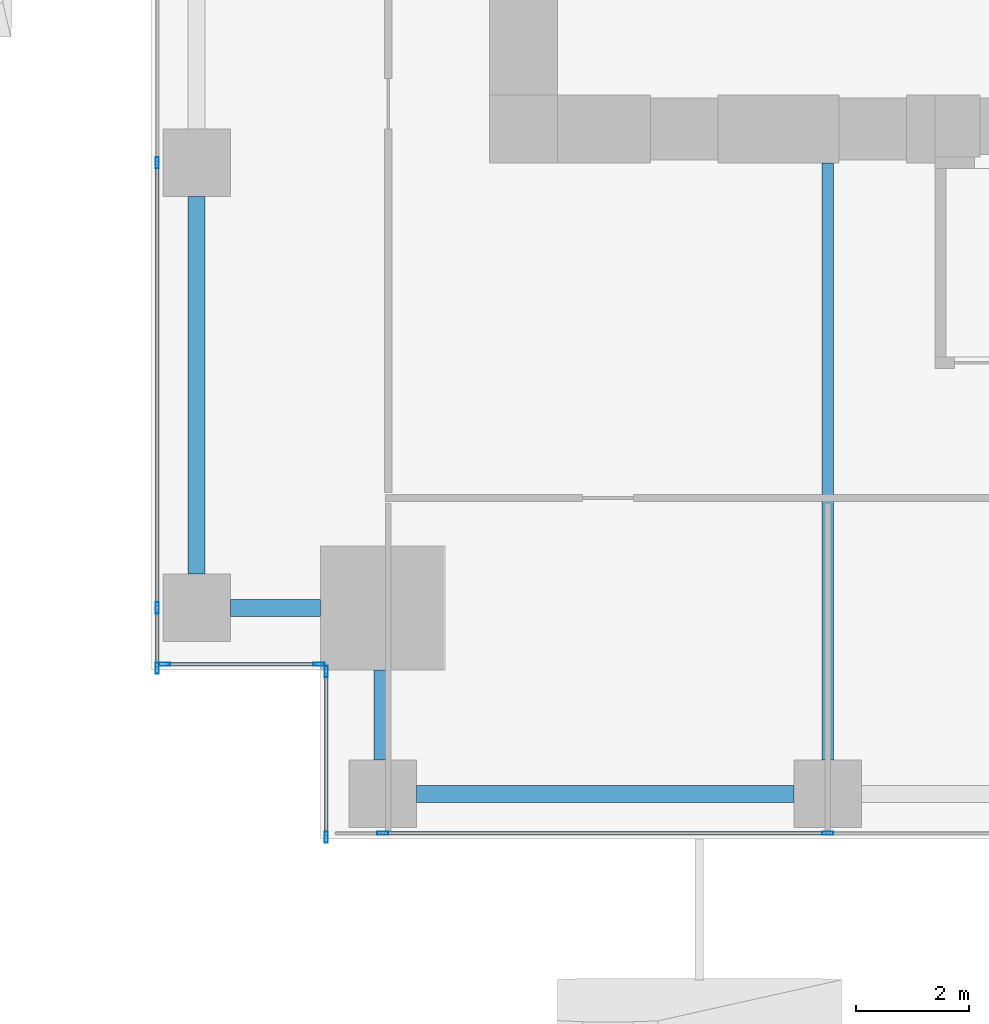
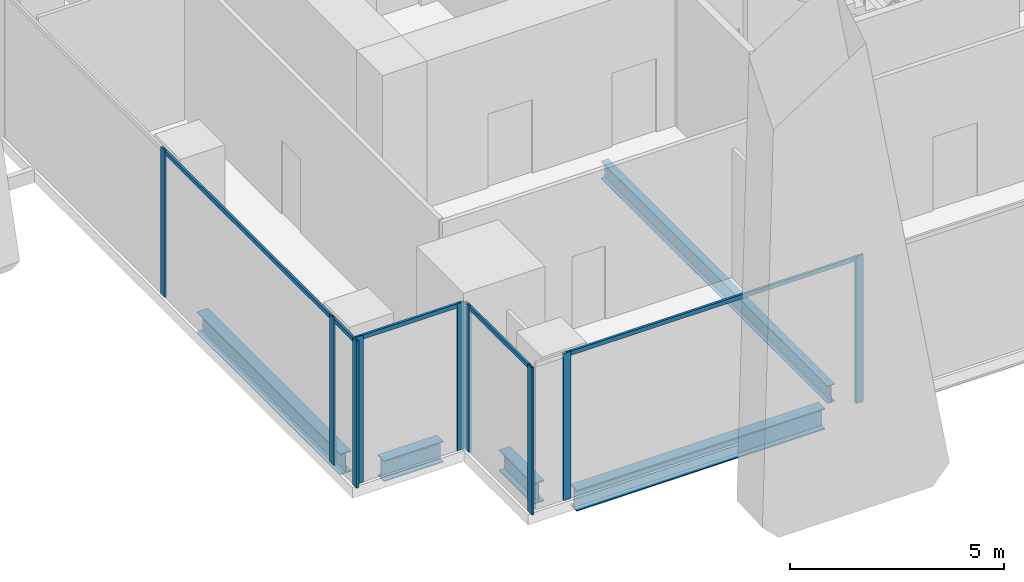
# One storey, part 2 of 35: 14 members, 5 beams, 4 elements without a shape of their own.
"""IFC4 building model written with IfcOpenShell, lengths in metres."""

from ifc_helpers import new_model, si_unit, direction, frame, origin, origin_2d, place, context, subcontext, project, spatial, hollow_rectangle, i_section, extrude, source, transform, mapped, material, material_profile, profile_set, type_object, element, aggregate, save


model = new_model("IFC4")

# Units and contexts
model_context = context("Model", 3, precision=1e-05, world=origin(), true_north=direction((0.0, 1.0)))
body_context = subcontext(model_context, "Body", "Model", "MODEL_VIEW")
ifc_project = project(units=[si_unit("LENGTHUNIT", "METRE"), si_unit("AREAUNIT", "SQUARE_METRE"), si_unit("VOLUMEUNIT", "CUBIC_METRE"), si_unit("PLANEANGLEUNIT", "RADIAN"), si_unit("MASSUNIT", "GRAM", prefix="KILO")], contexts=[model_context])

# Site, building, storey
site_placement = place(None, origin())
site = spatial("IfcSite", under=ifc_project, at=site_placement, CompositionType="ELEMENT")
building_placement = place(site_placement, origin())
building = spatial("IfcBuilding", under=site, at=building_placement, Name="Khomas Fold Tower", CompositionType="ELEMENT")
storey_placement = place(building_placement, frame((0.0, 0.0, 69.0)))
storey = spatial("IfcBuildingStorey", under=building, at=storey_placement, Name="L14", CompositionType="ELEMENT", Elevation=69.0)

# Beams
ifc_material_1 = material(Name="Steel S355", Category="steel")
ifc_material_profile_1 = material_profile(ifc_material_1, i_section(OverallWidth=0.199951171875, OverallDepth=0.5, WebThickness=0.01025390625, FlangeThickness=0.01611328125, at=origin_2d()), Name="IPE 500")
ifc_profile_set_1 = profile_set([ifc_material_profile_1], Name="Steel S355")
beam_type_1 = type_object("IfcBeamType", Name="IPE 500 beam JB5", PredefinedType="BEAM", material=ifc_profile_set_1)
shared_shape_1 = source(origin(), body_context, "Body", "SweptSolid", [
    extrude(i_section(OverallWidth=0.199951171875, OverallDepth=0.5, WebThickness=0.01025390625, FlangeThickness=0.01611328125, at=origin_2d()), origin(), (0.0, 0.0, 1.0), 10.60009765625),
])
beam_placement = place(storey_placement, frame((12.0, 1.39990234375, -0.550048828125), z_axis=(0.0, 1.0, 0.0), x_axis=(-1.0, 0.0, 0.0)))
element("IfcBeam", 1, at=beam_placement, inside=storey, type_object=beam_type_1, Name="JB5", PredefinedType="BEAM", context=body_context, shape_type="MappedRepresentation", body=[
    mapped(shared_shape_1, transform((0.0, 0.0, 0.0))),
])
ifc_material_2 = material(Name="Steel S355", Category="steel")
ifc_material_profile_2 = material_profile(ifc_material_2, i_section(OverallWidth=0.300048828125, OverallDepth=0.60009765625, WebThickness=0.015380859375, FlangeThickness=0.030029296875, at=origin_2d()), Name="HE 600 B")
ifc_profile_set_2 = profile_set([ifc_material_profile_2], Name="Steel S355")
beam_type_2 = type_object("IfcBeamType", Name="HE 600 B spandrel SB1", PredefinedType="SPANDREL", material=ifc_profile_set_2)
shared_shape_2 = source(origin(), body_context, "Body", "SweptSolid", [
    extrude(i_section(OverallWidth=0.300048828125, OverallDepth=0.60009765625, WebThickness=0.015380859375, FlangeThickness=0.030029296875, at=origin_2d()), origin(), (0.0, 0.0, 1.0), 6.699951171875),
])
for number, where, z_axis, x_axis, name in (
    (2, (4.699951171875, 0.800048828125, -0.60009765625), (1.0, 0.0, 0.0), (0.0, 1.0, 0.0), "SB1"),
    (3, (0.800048828125, 4.699951171875, -0.60009765625), (0.0, 1.0, 0.0), (-1.0, 0.0, 0.0), "SB1"),
):
    element("IfcBeam", number, at=place(storey_placement, frame(where, z_axis=z_axis, x_axis=x_axis)), inside=storey, type_object=beam_type_2, Name=name, PredefinedType="SPANDREL", context=body_context, shape_type="MappedRepresentation", body=[
        mapped(shared_shape_2, transform((0.0, 0.0, 0.0))),
    ])
shared_shape_3 = source(origin(), body_context, "Body", "SweptSolid", [
    extrude(i_section(OverallWidth=0.300048828125, OverallDepth=0.60009765625, WebThickness=0.015380859375, FlangeThickness=0.030029296875, at=origin_2d()), origin(), (0.0, 0.0, 1.0), 1.60009765625),
])
for number, where, z_axis, x_axis, name in (
    (4, (1.39990234375, 4.10009765625, -0.60009765625), (1.0, 0.0, 0.0), (0.0, 1.0, 0.0), "SB1"),
    (5, (4.10009765625, 1.39990234375, -0.60009765625), (0.0, 1.0, 0.0), (-1.0, 0.0, 0.0), "SB1"),
):
    element("IfcBeam", number, at=place(storey_placement, frame(where, z_axis=z_axis, x_axis=x_axis)), inside=storey, type_object=beam_type_2, Name=name, PredefinedType="SPANDREL", context=body_context, shape_type="MappedRepresentation", body=[
        mapped(shared_shape_3, transform((0.0, 0.0, 0.0))),
    ])

# Curtain wall, member
ifc_material_3 = material(Name="Aluminium framed double glazing", Category="aluminium")
curtain_wall_type = type_object("IfcCurtainWallType", Name="SK-Unitised clear-glass wall, growing floors CW1", PredefinedType="NOTDEFINED", material=ifc_material_3)
curtain_wall_1_placement = place(storey_placement, origin())
curtain_wall_1 = element("IfcCurtainWall", 6, at=curtain_wall_1_placement, inside=storey, type_object=curtain_wall_type, Name="CW1 run L14 00-0", PredefinedType="NOTDEFINED")
ifc_material_4 = material(Name="Aluminium", Category="aluminium")
ifc_material_profile_3 = material_profile(ifc_material_4, hollow_rectangle(XDim=0.06005859375, YDim=0.1201171875, WallThickness=0.00390625, at=origin_2d()), Name="SK-Unitised clear-glass wall, growing floors transom CW1-T")
ifc_profile_set_3 = profile_set([ifc_material_profile_3], Name="Aluminium")
member_type_1 = type_object("IfcMemberType", Name="SK-Unitised clear-glass wall, growing floors transom CW1-T", PredefinedType="USERDEFINED", material=ifc_profile_set_3)
shared_shape_4 = source(origin(), body_context, "Body", "SweptSolid", [
    extrude(hollow_rectangle(XDim=0.06005859375, YDim=0.1201171875, WallThickness=0.00390625, at=origin_2d()), origin(), (0.0, 0.0, 1.0), 7.840087890625),
])
member_1_placement = place(storey_placement, frame((4.1298828125, 0.10009765625, 4.139892578125), z_axis=(1.0, 0.0, 0.0), x_axis=(0.0, 1.0, 0.0)))
member_1 = element("IfcMember", 7, at=member_1_placement, type_object=member_type_1, Name="CW1 transom 2", ObjectType="TRANSOM", PredefinedType="USERDEFINED", context=body_context, shape_type="MappedRepresentation", body=[
    mapped(shared_shape_4, transform((0.0, 0.0, 0.0))),
])

# Curtain wall, members
curtain_wall_2_placement = place(storey_placement, origin())
curtain_wall_2 = element("IfcCurtainWall", 8, at=curtain_wall_2_placement, inside=storey, type_object=curtain_wall_type, Name="CW1 run L14 09-1", PredefinedType="NOTDEFINED")
member_2_placement = place(storey_placement, frame((0.10009765625, 11.969970703125, 4.139892578125), z_axis=(0.0, -1.0, 0.0), x_axis=(1.0, 0.0, 0.0)))
member_2 = element("IfcMember", 9, at=member_2_placement, type_object=member_type_1, Name="CW1 transom 4", ObjectType="TRANSOM", PredefinedType="USERDEFINED", context=body_context, shape_type="MappedRepresentation", body=[
    mapped(shared_shape_4, transform((0.0, 0.0, 0.0))),
])
shared_shape_5 = source(origin(), body_context, "Body", "SweptSolid", [
    extrude(hollow_rectangle(XDim=0.06005859375, YDim=0.1201171875, WallThickness=0.00390625, at=origin_2d()), origin(), (0.0, 0.0, 1.0), 1.010009765625),
])
member_3_placement = place(storey_placement, frame((0.10009765625, 4.070068359375, 4.139892578125), z_axis=(0.0, -1.0, 0.0), x_axis=(1.0, 0.0, 0.0)))
member_3 = element("IfcMember", 10, at=member_3_placement, type_object=member_type_1, Name="CW1 transom 5", ObjectType="TRANSOM", PredefinedType="USERDEFINED", context=body_context, shape_type="MappedRepresentation", body=[
    mapped(shared_shape_5, transform((0.0, 0.0, 0.0))),
])

# Curtain wall, member
curtain_wall_3_placement = place(storey_placement, origin())
curtain_wall_3 = element("IfcCurtainWall", 11, at=curtain_wall_3_placement, inside=storey, type_object=curtain_wall_type, Name="CW1 corner return L14 10", PredefinedType="NOTDEFINED")
shared_shape_6 = source(origin(), body_context, "Body", "SweptSolid", [
    extrude(hollow_rectangle(XDim=0.06005859375, YDim=0.1201171875, WallThickness=0.00390625, at=origin_2d()), origin(), (0.0, 0.0, 1.0), 2.679931640625),
])
member_4_placement = place(storey_placement, frame((0.260009765625, 3.10009765625, 4.139892578125), z_axis=(1.0, 0.0, 0.0), x_axis=(0.0, 1.0, 0.0)))
member_4 = element("IfcMember", 12, at=member_4_placement, type_object=member_type_1, Name="CW1 transom 1", ObjectType="TRANSOM", PredefinedType="USERDEFINED", context=body_context, shape_type="MappedRepresentation", body=[
    mapped(shared_shape_6, transform((0.0, 0.0, 0.0))),
])

curtain_wall_4_placement = place(storey_placement, origin())
curtain_wall_4 = element("IfcCurtainWall", 13, at=curtain_wall_4_placement, inside=storey, type_object=curtain_wall_type, Name="CW1 corner return L14 11", PredefinedType="NOTDEFINED")
shared_shape_7 = source(origin(), body_context, "Body", "SweptSolid", [
    extrude(hollow_rectangle(XDim=0.06005859375, YDim=0.1201171875, WallThickness=0.00390625, at=origin_2d()), origin(), (0.0, 0.0, 1.0), 2.8798828125),
])
member_5_placement = place(storey_placement, frame((3.10009765625, 2.93994140625, 4.139892578125), z_axis=(0.0, -1.0, 0.0), x_axis=(1.0, 0.0, 0.0)))
member_5 = element("IfcMember", 14, at=member_5_placement, type_object=member_type_1, Name="CW1 transom 1", ObjectType="TRANSOM", PredefinedType="USERDEFINED", context=body_context, shape_type="MappedRepresentation", body=[
    mapped(shared_shape_7, transform((0.0, 0.0, 0.0))),
])

# Member
ifc_material_5 = material(Name="Aluminium", Category="aluminium")
ifc_material_profile_4 = material_profile(ifc_material_5, hollow_rectangle(XDim=0.06005859375, YDim=0.199951171875, WallThickness=0.00390625, at=origin_2d()), Name="SK-Unitised clear-glass wall, growing floors mullion CW1-M")
ifc_profile_set_4 = profile_set([ifc_material_profile_4], Name="Aluminium")
member_type_2 = type_object("IfcMemberType", Name="SK-Unitised clear-glass wall, growing floors mullion CW1-M", PredefinedType="MULLION", material=ifc_profile_set_4)
shared_shape_8 = source(origin(), body_context, "Body", "SweptSolid", [
    extrude(hollow_rectangle(XDim=0.06005859375, YDim=0.199951171875, WallThickness=0.00390625, at=origin_2d()), origin(), (0.0, 0.0, 1.0), 4.199951171875),
])
member_6_placement = place(storey_placement, frame((4.10009765625, 0.10009765625, 0.0), z_axis=(0.0, 0.0, 1.0), x_axis=(0.0, 1.0, 0.0)))
member_6 = element("IfcMember", 15, at=member_6_placement, type_object=member_type_2, Name="CW1 mullion 2", PredefinedType="MULLION", context=body_context, shape_type="MappedRepresentation", body=[
    mapped(shared_shape_8, transform((0.0, 0.0, 0.0))),
])

member_7_placement = place(storey_placement, frame((12.0, 0.10009765625, 0.0), z_axis=(0.0, 0.0, 1.0), x_axis=(0.0, 1.0, 0.0)))
member_7 = element("IfcMember", 16, at=member_7_placement, type_object=member_type_2, Name="CW1 mullion 3", PredefinedType="MULLION", context=body_context, shape_type="MappedRepresentation", body=[
    mapped(shared_shape_8, transform((0.0, 0.0, 0.0))),
])

aggregate(curtain_wall_1, [member_6, member_7, member_1])

member_8_placement = place(storey_placement, frame((0.10009765625, 12.0, 0.0), z_axis=(0.0, 0.0, 1.0), x_axis=(1.0, 0.0, 0.0)))
member_8 = element("IfcMember", 17, at=member_8_placement, type_object=member_type_2, Name="CW1 mullion 4", PredefinedType="MULLION", context=body_context, shape_type="MappedRepresentation", body=[
    mapped(shared_shape_8, transform((0.0, 0.0, 0.0))),
])

member_9_placement = place(storey_placement, frame((0.10009765625, 4.10009765625, 0.0), z_axis=(0.0, 0.0, 1.0), x_axis=(1.0, 0.0, 0.0)))
member_9 = element("IfcMember", 18, at=member_9_placement, type_object=member_type_2, Name="CW1 mullion 5", PredefinedType="MULLION", context=body_context, shape_type="MappedRepresentation", body=[
    mapped(shared_shape_8, transform((0.0, 0.0, 0.0))),
])

member_10_placement = place(storey_placement, frame((0.10009765625, 3.030029296875, 0.0), z_axis=(0.0, 0.0, 1.0), x_axis=(1.0, 0.0, 0.0)))
member_10 = element("IfcMember", 19, at=member_10_placement, type_object=member_type_2, Name="CW1 mullion 6", PredefinedType="MULLION", context=body_context, shape_type="MappedRepresentation", body=[
    mapped(shared_shape_8, transform((0.0, 0.0, 0.0))),
])

aggregate(curtain_wall_2, [member_8, member_9, member_10, member_2, member_3])

member_11_placement = place(storey_placement, frame((0.22998046875, 3.10009765625, 0.0), z_axis=(0.0, 0.0, 1.0), x_axis=(0.0, 1.0, 0.0)))
member_11 = element("IfcMember", 20, at=member_11_placement, type_object=member_type_2, Name="CW1 mullion 1", PredefinedType="MULLION", context=body_context, shape_type="MappedRepresentation", body=[
    mapped(shared_shape_8, transform((0.0, 0.0, 0.0))),
])

member_12_placement = place(storey_placement, frame((2.969970703125, 3.10009765625, 0.0), z_axis=(0.0, 0.0, 1.0), x_axis=(0.0, 1.0, 0.0)))
member_12 = element("IfcMember", 21, at=member_12_placement, type_object=member_type_2, Name="CW1 mullion 2", PredefinedType="MULLION", context=body_context, shape_type="MappedRepresentation", body=[
    mapped(shared_shape_8, transform((0.0, 0.0, 0.0))),
])

aggregate(curtain_wall_3, [member_11, member_12, member_4])

member_13_placement = place(storey_placement, frame((3.10009765625, 2.969970703125, 0.0), z_axis=(0.0, 0.0, 1.0), x_axis=(1.0, 0.0, 0.0)))
member_13 = element("IfcMember", 22, at=member_13_placement, type_object=member_type_2, Name="CW1 mullion 1", PredefinedType="MULLION", context=body_context, shape_type="MappedRepresentation", body=[
    mapped(shared_shape_8, transform((0.0, 0.0, 0.0))),
])

member_14_placement = place(storey_placement, frame((3.10009765625, 0.030029296875, 0.0), z_axis=(0.0, 0.0, 1.0), x_axis=(1.0, 0.0, 0.0)))
member_14 = element("IfcMember", 23, at=member_14_placement, type_object=member_type_2, Name="CW1 mullion 2", PredefinedType="MULLION", context=body_context, shape_type="MappedRepresentation", body=[
    mapped(shared_shape_8, transform((0.0, 0.0, 0.0))),
])

aggregate(curtain_wall_4, [member_13, member_14, member_5])

save(model, "model.ifc")
